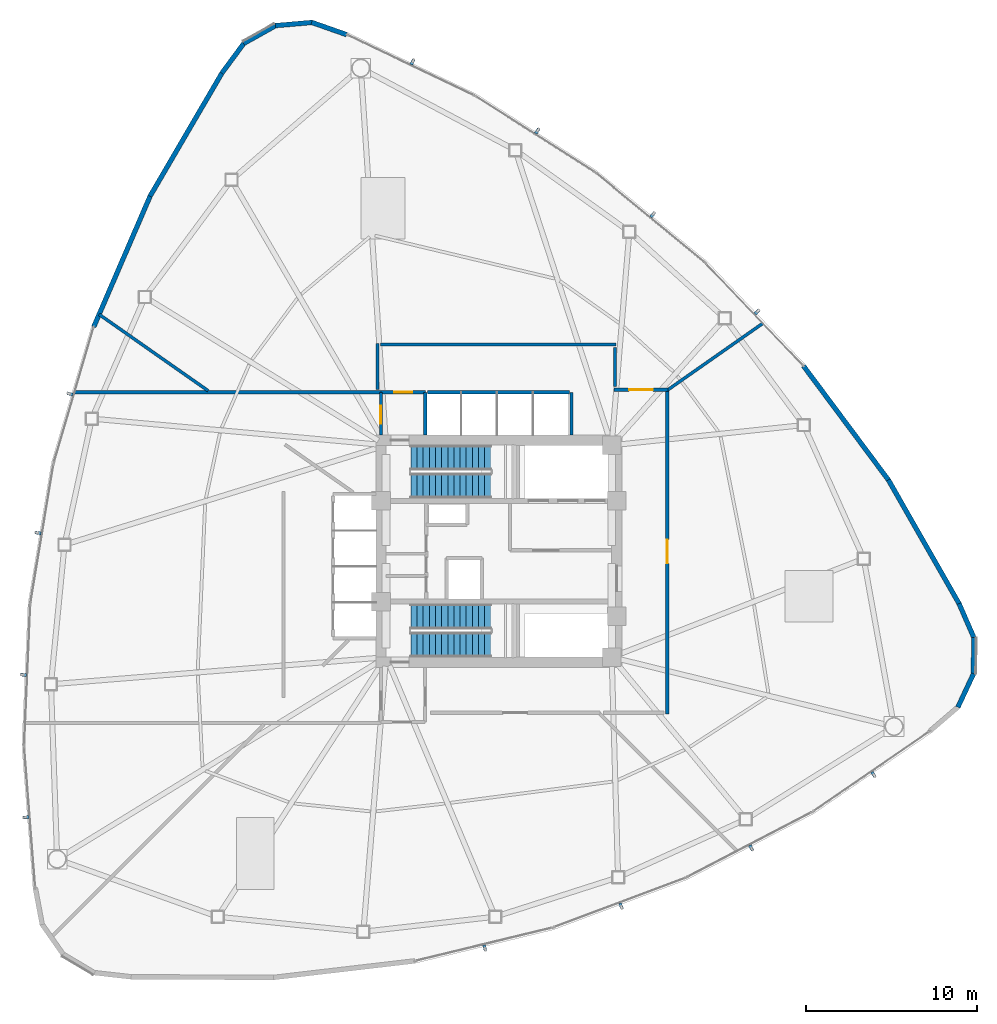
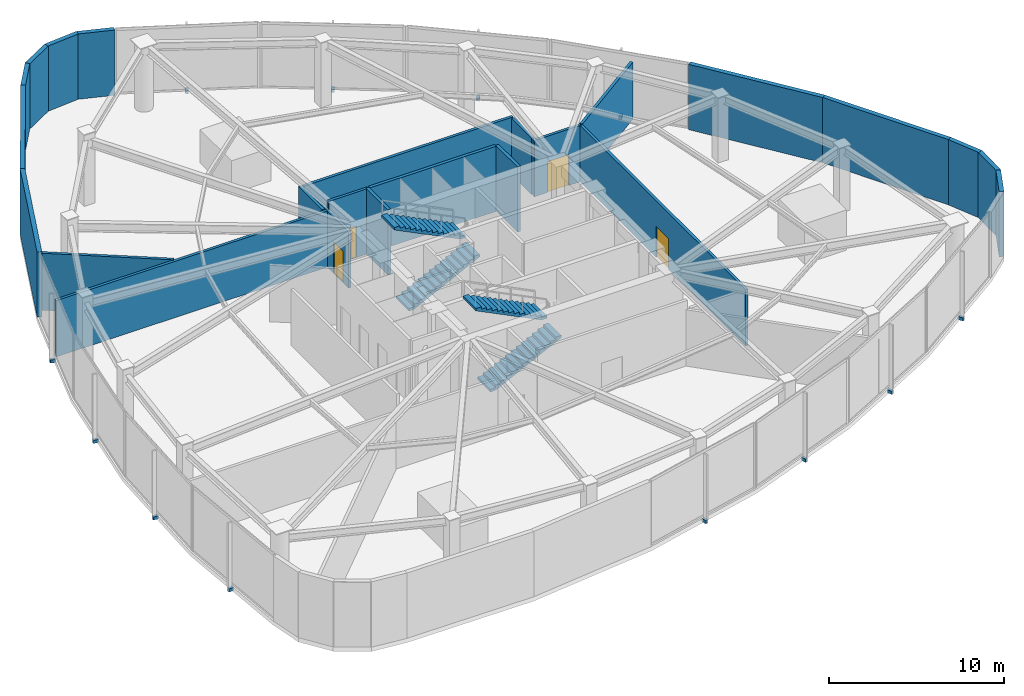
# One storey, part 12 of 16: 24 walls, 12 discrete accessories, 4 doors, 4 stair flights, 4 openings, 2 elements without a shape of their own.
"""IFC4 building model written with IfcOpenShell, lengths in metres."""

from ifc_helpers import new_model, si_unit, direction, frame, frame_2d, origin, origin_2d, place, context, subcontext, project, spatial, polyline, rectangle, outline, extrude, source, transform, mapped, material, layer, layer_set, type_object, type_shapes, element, fill, aggregate, save


model = new_model("IFC4")

# Units and contexts
model_context = context("Model", 3, precision=1e-05, world=origin(), true_north=direction((0.0, 1.0)))
body_context = subcontext(model_context, "Body", "Model", "MODEL_VIEW")
ifc_project = project(units=[si_unit("LENGTHUNIT", "METRE"), si_unit("AREAUNIT", "SQUARE_METRE"), si_unit("VOLUMEUNIT", "CUBIC_METRE"), si_unit("PLANEANGLEUNIT", "RADIAN"), si_unit("MASSUNIT", "GRAM", prefix="KILO")], contexts=[model_context])

# Site, building, storey
site_placement = place(None, origin())
site = spatial("IfcSite", under=ifc_project, at=site_placement, CompositionType="ELEMENT")
building_placement = place(site_placement, origin())
building = spatial("IfcBuilding", under=site, at=building_placement, Name="Tavelor Broadcast Tower", CompositionType="ELEMENT")
storey_placement = place(building_placement, frame((0.0, 0.0, 97.800048828125)))
storey = spatial("IfcBuildingStorey", under=building, at=storey_placement, Name="L23", CompositionType="ELEMENT", Elevation=97.800048828125)

# Wall, opening, door
ifc_material_1 = material(Name="Calcium Silicate Fire Board 180 mm", Category="gypsum")
ifc_layer_1 = layer(ifc_material_1, 0.179931640625)
ifc_layer_set_1 = layer_set([ifc_layer_1], Name="Calcium Silicate Fire Board 180 mm")
wall_type_1 = type_object("IfcWallType", Name="Fire-Rated Corridor Partition Wall 180 mm", PredefinedType="PARTITIONING", material=ifc_layer_set_1)
wall_1_placement = place(storey_placement, frame((43.10009765625, 54.300048828125, 0.0), z_axis=(0.0, 0.0, 1.0), x_axis=(1.0, 0.0, 0.0)))
wall_1 = element("IfcWall", 1, at=wall_1_placement, inside=storey, type_object=wall_type_1, Name="L23 Stair ST1 Lobby North Wall", PredefinedType="PARTITIONING", context=body_context, shape_type="SweptSolid", body=[
    extrude(rectangle(XDim=2.619873046875, YDim=0.179931640625, at=frame_2d((1.31005859375, 0.0))), origin(), (0.0, 0.0, 1.0), 4.550048828125),
])
opening_1_placement = place(wall_1_placement, frame((0.780029296875, 0.0, 0.0)))
opening_1 = element("IfcOpeningElement", 2, at=opening_1_placement, cuts=wall_1, Name="Opening DR11", PredefinedType="OPENING", context=body_context, shape_type="SweptSolid", body=[
    extrude(rectangle(XDim=1.050048828125, YDim=2.199951171875, at=frame_2d((0.52490234375, 1.10009765625))), frame((0.0, 0.10009765625, 0.0), z_axis=(0.0, -1.0, 0.0), x_axis=(1.0, 0.0, 0.0)), (0.0, 0.0, 1.0), 0.199951171875),
])
ifc_material_2 = material(Name="Steel S355", Category="steel")
door_type_1 = type_object("IfcDoorType", Name="Stair Core Fire Escape Door 1050x2200", OperationType="NOTDEFINED", PredefinedType="DOOR", material=ifc_material_2)
door_1_placement = place(opening_1_placement, origin())
door_1 = element("IfcDoor", 3, at=door_1_placement, inside=storey, type_object=door_type_1, Name="L23 Stair ST1 Lobby Corridor Door", OperationType="SINGLE_SWING_LEFT", OverallHeight=2.199951171875, OverallWidth=1.050048828125, PredefinedType="DOOR", context=body_context, shape_type="SweptSolid", body=[
    extrude(rectangle(XDim=1.050048828125, YDim=2.199951171875, at=frame_2d((0.52490234375, 1.10009765625))), frame((0.0, 0.02490234375, 0.0), z_axis=(0.0, -1.0, 0.0), x_axis=(1.0, 0.0, 0.0)), (0.0, 0.0, 1.0), 0.050048828125),
])
fill(opening_1, door_1)

wall_2_placement = place(storey_placement, frame((43.10009765625, 51.800048828125, 0.0), z_axis=(0.0, 0.0, 1.0), x_axis=(0.0, 1.0, 0.0)))
wall_2 = element("IfcWall", 4, at=wall_2_placement, inside=storey, type_object=wall_type_1, Name="L23 Fire Refuge North Stair ST1 Lobby Wall", PredefinedType="PARTITIONING", context=body_context, shape_type="SweptSolid", body=[
    extrude(rectangle(XDim=2.5, YDim=0.179931640625, at=frame_2d((1.25, 0.0))), origin(), (0.0, 0.0, 1.0), 3.925048828125),
])
opening_2_placement = place(wall_2_placement, frame((0.64990234375, 0.0, 0.0)))
opening_2 = element("IfcOpeningElement", 5, at=opening_2_placement, cuts=wall_2, Name="Opening DR11", PredefinedType="OPENING", context=body_context, shape_type="SweptSolid", body=[
    extrude(rectangle(XDim=1.050048828125, YDim=2.199951171875, at=frame_2d((0.52490234375, 1.10009765625))), frame((0.0, 0.10009765625, 0.0), z_axis=(0.0, -1.0, 0.0), x_axis=(1.0, 0.0, 0.0)), (0.0, 0.0, 1.0), 0.199951171875),
])
door_2_placement = place(opening_2_placement, origin())
door_2 = element("IfcDoor", 6, at=door_2_placement, inside=storey, type_object=door_type_1, Name="L23 Fire Refuge Stair ST1 Lobby Door", OperationType="SINGLE_SWING_RIGHT", OverallHeight=2.199951171875, OverallWidth=1.050048828125, PredefinedType="DOOR", context=body_context, shape_type="SweptSolid", body=[
    extrude(rectangle(XDim=1.050048828125, YDim=2.199951171875, at=frame_2d((0.52490234375, 1.10009765625))), frame((0.0, 0.02490234375, 0.0), z_axis=(0.0, -1.0, 0.0), x_axis=(1.0, 0.0, 0.0)), (0.0, 0.0, 1.0), 0.050048828125),
])
fill(opening_2, door_2)

# Walls
wall_3_placement = place(storey_placement, frame((25.1728515625, 54.300048828125, 0.0), z_axis=(0.0, 0.0, 1.0), x_axis=(1.0, 0.0, 0.0)))
element("IfcWall", 7, at=wall_3_placement, inside=storey, type_object=wall_type_1, Name="L23 Fire Refuge North EI120 Wall", PredefinedType="PARTITIONING", context=body_context, shape_type="SweptSolid", body=[
    extrude(rectangle(XDim=17.92724609375, YDim=0.179931640625, at=frame_2d((8.963623046875, 0.0))), origin(), (0.0, 0.0, 1.0), 3.925048828125),
])
wall_4_placement = place(storey_placement, frame((59.85009765625, 54.417724609375, 0.0), z_axis=(0.0, 0.0, 1.0), x_axis=(0.819142926279, 0.573589457998, 0.0)))
element("IfcWall", 8, at=wall_4_placement, inside=storey, type_object=wall_type_1, Name="L23 Plant Quadrant Fire Wall", PredefinedType="PARTITIONING", context=body_context, shape_type="SweptSolid", body=[
    extrude(rectangle(XDim=6.83154296875, YDim=0.179931640625, at=frame_2d((3.415771484375, 0.0))), origin(), (0.0, 0.0, 1.0), 3.974853515625),
])
wall_5_placement = place(storey_placement, frame((32.98974609375, 54.389892578125, 0.0), z_axis=(0.0, 0.0, 1.0), x_axis=(-0.819142061869, 0.57359069246, 0.0)))
element("IfcWall", 9, at=wall_5_placement, inside=storey, type_object=wall_type_1, Name="L23 Plant Quadrant Fire Wall", PredefinedType="PARTITIONING", context=body_context, shape_type="SweptSolid", body=[
    extrude(rectangle(XDim=7.787109375, YDim=0.179931640625, at=frame_2d((3.8935546875, 0.0))), origin(), (0.0, 0.0, 1.0), 3.974853515625),
])

# Wall, opening, door
wall_6_placement = place(storey_placement, frame((56.739990234375, 54.449951171875, 0.0), z_axis=(0.0, 0.0, 1.0), x_axis=(1.0, 0.0, 0.0)))
wall_6 = element("IfcWall", 10, at=wall_6_placement, inside=storey, type_object=wall_type_1, Name="L23 Plant Corridor Fire Wall", PredefinedType="PARTITIONING", context=body_context, shape_type="SweptSolid", body=[
    extrude(rectangle(XDim=3.1474609375, YDim=0.179931640625, at=frame_2d((1.57373046875, 0.0))), origin(), (0.0, 0.0, 1.0), 3.925048828125),
])
opening_3_placement = place(wall_6_placement, frame((0.873779296875, 0.0, 0.0)))
opening_3 = element("IfcOpeningElement", 11, at=opening_3_placement, cuts=wall_6, Name="Opening DR41", PredefinedType="OPENING", context=body_context, shape_type="SweptSolid", body=[
    extrude(rectangle(XDim=1.39990234375, YDim=2.14990234375, at=frame_2d((0.699951171875, 1.074951171875))), frame((0.0, 0.10009765625, 0.0), z_axis=(0.0, -1.0, 0.0), x_axis=(1.0, 0.0, 0.0)), (0.0, 0.0, 1.0), 0.199951171875),
])
door_type_2 = type_object("IfcDoorType", Name="Plant Room Double Fire Door 1400x2150", OperationType="NOTDEFINED", PredefinedType="DOOR", material=ifc_material_2)
door_3_placement = place(opening_3_placement, origin())
door_3 = element("IfcDoor", 12, at=door_3_placement, inside=storey, type_object=door_type_2, Name="L23 Zone Chiller and Heat Exchanger Plant Direct Corridor Door", OperationType="SINGLE_SWING_LEFT", OverallHeight=2.14990234375, OverallWidth=1.39990234375, PredefinedType="DOOR", context=body_context, shape_type="SweptSolid", body=[
    extrude(rectangle(XDim=1.39990234375, YDim=2.14990234375, at=frame_2d((0.699951171875, 1.074951171875))), frame((0.0, 0.02490234375, 0.0), z_axis=(0.0, -1.0, 0.0), x_axis=(1.0, 0.0, 0.0)), (0.0, 0.0, 1.0), 0.050048828125),
])
fill(opening_3, door_3)

wall_7_placement = place(storey_placement, frame((59.85009765625, 54.477783203125, 0.0), z_axis=(0.0, 0.0, 1.0), x_axis=(0.0, -1.0, 0.0)))
wall_7 = element("IfcWall", 13, at=wall_7_placement, inside=storey, type_object=wall_type_1, Name="L23 Plant Corridor Fire Wall", PredefinedType="PARTITIONING", context=body_context, shape_type="SweptSolid", body=[
    extrude(rectangle(XDim=18.98779296875, YDim=0.179931640625, at=frame_2d((9.493896484375, 0.0))), origin(), (0.0, 0.0, 1.0), 3.925048828125),
])
opening_4_placement = place(wall_7_placement, frame((8.7939453125, 0.0, 0.0)))
opening_4 = element("IfcOpeningElement", 14, at=opening_4_placement, cuts=wall_7, Name="Opening DR41", PredefinedType="OPENING", context=body_context, shape_type="SweptSolid", body=[
    extrude(rectangle(XDim=1.39990234375, YDim=2.14990234375, at=frame_2d((0.699951171875, 1.074951171875))), frame((0.0, 0.10009765625, 0.0), z_axis=(0.0, -1.0, 0.0), x_axis=(1.0, 0.0, 0.0)), (0.0, 0.0, 1.0), 0.199951171875),
])
door_4_placement = place(opening_4_placement, origin())
door_4 = element("IfcDoor", 15, at=door_4_placement, inside=storey, type_object=door_type_2, Name="L23 Fire Booster and Hydronic Pump Plant Direct Corridor Door", OperationType="SINGLE_SWING_RIGHT", OverallHeight=2.14990234375, OverallWidth=1.39990234375, PredefinedType="DOOR", context=body_context, shape_type="SweptSolid", body=[
    extrude(rectangle(XDim=1.39990234375, YDim=2.14990234375, at=frame_2d((0.699951171875, 1.074951171875))), frame((0.0, 0.02490234375, 0.0), z_axis=(0.0, -1.0, 0.0), x_axis=(1.0, 0.0, 0.0)), (0.0, 0.0, 1.0), 0.050048828125),
])
fill(opening_4, door_4)

# Walls
wall_8_placement = place(storey_placement, frame((42.89990234375, 54.469970703125, 0.0), z_axis=(0.0, 0.0, 1.0), x_axis=(0.0, 1.0, 0.0)))
element("IfcWall", 16, at=wall_8_placement, inside=storey, type_object=wall_type_1, Name="L23 Plant Corridor Fire Wall", PredefinedType="PARTITIONING", context=body_context, shape_type="SweptSolid", body=[
    extrude(rectangle(XDim=2.68994140625, YDim=0.179931640625, at=frame_2d((1.344970703125, 0.0))), origin(), (0.0, 0.0, 1.0), 3.925048828125),
])
wall_9_placement = place(storey_placement, frame((43.080078125, 57.10009765625, 0.0), z_axis=(0.0, 0.0, 1.0), x_axis=(1.0, 0.0, 0.0)))
element("IfcWall", 17, at=wall_9_placement, inside=storey, type_object=wall_type_1, Name="L23 Plant Corridor Fire Wall", PredefinedType="PARTITIONING", context=body_context, shape_type="SweptSolid", body=[
    extrude(rectangle(XDim=13.780029296875, YDim=0.179931640625, at=frame_2d((6.89013671875, 0.0))), origin(), (0.0, 0.0, 1.0), 3.925048828125),
])
wall_10_placement = place(storey_placement, frame((56.800048828125, 56.919921875, 0.0), z_axis=(0.0, 0.0, 1.0), x_axis=(0.0, -1.0, 0.0)))
element("IfcWall", 18, at=wall_10_placement, inside=storey, type_object=wall_type_1, Name="L23 Plant Corridor Fire Wall", PredefinedType="PARTITIONING", context=body_context, shape_type="SweptSolid", body=[
    extrude(rectangle(XDim=2.2900390625, YDim=0.179931640625, at=frame_2d((1.14501953125, 0.0))), origin(), (0.0, 0.0, 1.0), 3.925048828125),
])
ifc_material_3 = material(Name="Precast Concrete C40/50", Category="concrete")
ifc_layer_2 = layer(ifc_material_3, 0.280029296875)
ifc_layer_set_2 = layer_set([ifc_layer_2], Name="Precast Concrete C40/50")
wall_type_2 = type_object("IfcWallType", Name="Insulated Precast Terracotta Facade Wall 280 mm", PredefinedType="STANDARD", material=ifc_layer_set_2)
wall_11_placement = place(storey_placement, frame((41.10107421875, 75.2216796875, 0.0), z_axis=(0.0, 0.0, 1.0), x_axis=(-0.943509480912, 0.33134552876, 0.0)))
element("IfcWall", 19, at=wall_11_placement, inside=storey, type_object=wall_type_2, Name="L23 Rounded Corner Structural Cladding Pier 01", PredefinedType="STANDARD", context=body_context, shape_type="SweptSolid", body=[
    extrude(rectangle(XDim=2.17431640625, YDim=0.280029296875, at=frame_2d((1.087158203125, 0.0))), origin(), (0.0, 0.0, 1.0), 4.550048828125),
])
wall_12_placement = place(storey_placement, frame((39.07861328125, 75.9384765625, 0.0), z_axis=(0.0, 0.0, 1.0), x_axis=(-0.996272717401, -0.086259333193, 0.0)))
element("IfcWall", 20, at=wall_12_placement, inside=storey, type_object=wall_type_2, Name="L23 Rounded Corner Structural Cladding Pier 02", PredefinedType="STANDARD", context=body_context, shape_type="SweptSolid", body=[
    extrude(rectangle(XDim=2.162353515625, YDim=0.280029296875, at=frame_2d((1.0810546875, 0.0))), origin(), (0.0, 0.0, 1.0), 4.550048828125),
])
wall_13_placement = place(storey_placement, frame((36.9521484375, 75.760498046875, 0.0), z_axis=(0.0, 0.0, 1.0), x_axis=(-0.872517565839, -0.488582743557, 0.0)))
element("IfcWall", 21, at=wall_13_placement, inside=storey, type_object=wall_type_2, Name="L23 Rounded Corner Structural Cladding Pier 03", PredefinedType="STANDARD", context=body_context, shape_type="SweptSolid", body=[
    extrude(rectangle(XDim=2.16259765625, YDim=0.280029296875, at=frame_2d((1.081298828125, 0.0))), origin(), (0.0, 0.0, 1.0), 4.550048828125),
])
wall_14_placement = place(storey_placement, frame((35.087158203125, 74.72314453125, 0.0), z_axis=(0.0, 0.0, 1.0), x_axis=(-0.594048589396, -0.804429159987, 0.0)))
element("IfcWall", 22, at=wall_14_placement, inside=storey, type_object=wall_type_2, Name="L23 Rounded Corner Structural Cladding Pier 04", PredefinedType="STANDARD", context=body_context, shape_type="SweptSolid", body=[
    extrude(rectangle(XDim=2.18505859375, YDim=0.280029296875, at=frame_2d((1.092529296875, 0.0))), origin(), (0.0, 0.0, 1.0), 4.550048828125),
])
wall_15_placement = place(storey_placement, frame((33.805419921875, 72.990478515625, 0.0), z_axis=(0.0, 0.0, 1.0), x_axis=(-0.504174194544, -0.863601980982, 0.0)))
element("IfcWall", 23, at=wall_15_placement, inside=storey, type_object=wall_type_2, Name="L23 Rounded Corner Structural Cladding Pier 05", PredefinedType="STANDARD", context=body_context, shape_type="SweptSolid", body=[
    extrude(rectangle(XDim=8.36083984375, YDim=0.280029296875, at=frame_2d((4.180419921875, 0.0))), origin(), (0.0, 0.0, 1.0), 4.550048828125),
])
wall_16_placement = place(storey_placement, frame((29.603515625, 65.796630859375, 0.0), z_axis=(0.0, 0.0, 1.0), x_axis=(-0.395958170162, -0.918268548673, 0.0)))
element("IfcWall", 24, at=wall_16_placement, inside=storey, type_object=wall_type_2, Name="L23 Rounded Corner Structural Cladding Pier 06", PredefinedType="STANDARD", context=body_context, shape_type="SweptSolid", body=[
    extrude(rectangle(XDim=8.34912109375, YDim=0.280029296875, at=frame_2d((4.174560546875, 0.0))), origin(), (0.0, 0.0, 1.0), 4.550048828125),
])
wall_17_placement = place(storey_placement, frame((76.854248046875, 35.87109375, 0.0), z_axis=(0.0, 0.0, 1.0), x_axis=(0.423441583962, 0.905923410103, 0.0)))
element("IfcWall", 25, at=wall_17_placement, inside=storey, type_object=wall_type_2, Name="L23 Rounded Corner Structural Cladding Pier 22", PredefinedType="STANDARD", context=body_context, shape_type="SweptSolid", body=[
    extrude(rectangle(XDim=2.16259765625, YDim=0.280029296875, at=frame_2d((1.081298828125, 0.0))), origin(), (0.0, 0.0, 1.0), 4.550048828125),
])
wall_18_placement = place(storey_placement, frame((77.76318359375, 37.8017578125, 0.0), z_axis=(0.0, 0.0, 1.0), x_axis=(0.013094384142, 0.999914264877, 0.0)))
element("IfcWall", 26, at=wall_18_placement, inside=storey, type_object=wall_type_2, Name="L23 Rounded Corner Structural Cladding Pier 23", PredefinedType="STANDARD", context=body_context, shape_type="SweptSolid", body=[
    extrude(rectangle(XDim=2.162841796875, YDim=0.280029296875, at=frame_2d((1.08154296875, 0.0))), origin(), (0.0, 0.0, 1.0), 4.550048828125),
])
wall_19_placement = place(storey_placement, frame((77.79736328125, 39.935546875, 0.0), z_axis=(0.0, 0.0, 1.0), x_axis=(-0.399534865094, 0.916718000027, 0.0)))
element("IfcWall", 27, at=wall_19_placement, inside=storey, type_object=wall_type_2, Name="L23 Rounded Corner Structural Cladding Pier 24", PredefinedType="STANDARD", context=body_context, shape_type="SweptSolid", body=[
    extrude(rectangle(XDim=2.18505859375, YDim=0.280029296875, at=frame_2d((1.092529296875, 0.0))), origin(), (0.0, 0.0, 1.0), 4.550048828125),
])
wall_20_placement = place(storey_placement, frame((76.937744140625, 41.912109375, 0.0), z_axis=(0.0, 0.0, 1.0), x_axis=(-0.495824438924, 0.868422780543, 0.0)))
element("IfcWall", 28, at=wall_20_placement, inside=storey, type_object=wall_type_2, Name="L23 Rounded Corner Structural Cladding Pier 25", PredefinedType="STANDARD", context=body_context, shape_type="SweptSolid", body=[
    extrude(rectangle(XDim=8.36083984375, YDim=0.280029296875, at=frame_2d((4.180419921875, 0.0))), origin(), (0.0, 0.0, 1.0), 4.550048828125),
])
wall_21_placement = place(storey_placement, frame((72.80859375, 49.14794921875, 0.0), z_axis=(0.0, 0.0, 1.0), x_axis=(-0.5972781529, 0.802034168891, 0.0)))
element("IfcWall", 29, at=wall_21_placement, inside=storey, type_object=wall_type_2, Name="L23 Rounded Corner Structural Cladding Pier 26", PredefinedType="STANDARD", context=body_context, shape_type="SweptSolid", body=[
    extrude(rectangle(XDim=8.348876953125, YDim=0.280029296875, at=frame_2d((4.17431640625, 0.0))), origin(), (0.0, 0.0, 1.0), 4.550048828125),
])
ifc_material_4 = material(Name="Concrete Blockwork 200 mm", Category="masonry")
ifc_layer_3 = layer(ifc_material_4, 0.199951171875)
ifc_layer_set_3 = layer_set([ifc_layer_3], Name="Concrete Blockwork 200 mm")
wall_type_3 = type_object("IfcWallType", Name="Lift Hoistway Rated Front Wall 200 mm", PredefinedType="PARTITIONING", material=ifc_layer_set_3)
wall_22_placement = place(storey_placement, frame((45.820068359375, 54.300048828125, 0.0), z_axis=(0.0, 0.0, 1.0), x_axis=(1.0, 0.0, 0.0)))
element("IfcWall", 30, at=wall_22_placement, inside=storey, type_object=wall_type_3, Name="L23 High-Rise Lift Hoistway Front Wall", PredefinedType="PARTITIONING", context=body_context, shape_type="SweptSolid", body=[
    extrude(rectangle(XDim=8.309814453125, YDim=0.199951171875, at=frame_2d((4.15478515625, 0.0))), origin(), (0.0, 0.0, 1.0), 4.550048828125),
])
ifc_layer_4 = layer(ifc_material_4, 0.199951171875)
ifc_layer_set_4 = layer_set([ifc_layer_4], Name="Concrete Blockwork 200 mm")
wall_type_4 = type_object("IfcWallType", Name="Lift and Riser Shaft Enclosure Wall 200 mm", PredefinedType="PARTITIONING", material=ifc_layer_set_4)
for number, where, z_axis, x_axis, name in (
    (31, (45.699951171875, 51.800048828125, 0.0), (0.0, 0.0, 1.0), (0.0, 1.0, 0.0), "L23 High-Rise Lift Shaft West Wall"),
    (32, (54.25, 51.800048828125, 0.0), (0.0, 0.0, 1.0), (0.0, 1.0, 0.0), "L23 High-Rise Lift Shaft East Wall"),
):
    element("IfcWall", number, at=place(storey_placement, frame(where, z_axis=z_axis, x_axis=x_axis)), inside=storey, type_object=wall_type_4, Name=name, PredefinedType="PARTITIONING", context=body_context, shape_type="SweptSolid", body=[
        extrude(rectangle(XDim=2.5, YDim=0.199951171875, at=frame_2d((1.25, 0.0))), origin(), (0.0, 0.0, 1.0), 4.550048828125),
    ])

# Stair, stair flights
ifc_material_5 = material(Name="Concrete C40/50", Category="concrete")
stair_type = type_object("IfcStairType", Name="Reinforced Concrete Protected Dogleg Stair 1450 mm", PredefinedType="HALF_TURN_STAIR", material=ifc_material_5)
stair_1_placement = place(storey_placement, origin())
stair_1 = element("IfcStair", 33, at=stair_1_placement, inside=storey, type_object=stair_type, Name="L23 Protected Core Exit Stair ST1", PredefinedType="HALF_TURN_STAIR")
stair_flight_type = type_object("IfcStairFlightType", Name="Reinforced Concrete Stair Flight 1450 mm", PredefinedType="STRAIGHT", material=ifc_material_5)
stair_flight_1_placement = place(storey_placement, frame((44.85009765625, 48.824951171875, 0.0), z_axis=(0.0, 0.0, 1.0), x_axis=(1.0, 0.0, 0.0)))
stair_flight_1 = element("IfcStairFlight", 34, at=stair_flight_1_placement, type_object=stair_flight_type, Name="ST1 flight 1", NumberOfRisers=14, NumberOfTreads=13, PredefinedType="STRAIGHT", RiserHeight=0.178571429, TreadLength=0.36, context=body_context, shape_type="SweptSolid", body=[
    extrude(outline(polyline([(0.0, 0.0), (0.0, 0.178466796875), (0.360107421875, 0.178466796875), (0.360107421875, 0.357177734375), (0.719970703125, 0.357177734375), (0.719970703125, 0.53564453125), (1.080078125, 0.53564453125), (1.080078125, 0.71435546875), (1.43994140625, 0.71435546875), (1.43994140625, 0.892822265625), (1.800048828125, 0.892822265625), (1.800048828125, 1.071533203125), (2.159912109375, 1.071533203125), (2.159912109375, 1.25), (2.52001953125, 1.25), (2.52001953125, 1.428466796875), (2.8798828125, 1.428466796875), (2.8798828125, 1.607177734375), (3.239990234375, 1.607177734375), (3.239990234375, 1.78564453125), (3.60009765625, 1.78564453125), (3.60009765625, 1.96435546875), (3.9599609375, 1.96435546875), (3.9599609375, 2.142822265625), (4.320068359375, 2.142822265625), (4.320068359375, 2.321533203125), (4.679931640625, 2.321533203125), (4.679931640625, 2.5), (4.679931640625, 2.154052734375), (0.33740234375, 0.0), (0.0, 0.0)])), frame((0.0, 0.72509765625, 0.0), z_axis=(0.0, -1.0, 0.0), x_axis=(1.0, 0.0, 0.0)), (0.0, 0.0, 1.0), 1.449951171875),
])
stair_flight_2_placement = place(storey_placement, frame((49.530029296875, 50.47509765625, 2.5), z_axis=(0.0, 0.0, 1.0), x_axis=(-1.0, 0.0, 0.0)))
stair_flight_2 = element("IfcStairFlight", 35, at=stair_flight_2_placement, type_object=stair_flight_type, Name="ST1 flight 2", NumberOfRisers=14, NumberOfTreads=13, PredefinedType="STRAIGHT", RiserHeight=0.178571429, TreadLength=0.36, context=body_context, shape_type="SweptSolid", body=[
    extrude(outline(polyline([(0.0, 0.0), (0.0, 0.178466796875), (0.360107421875, 0.178466796875), (0.360107421875, 0.357177734375), (0.719970703125, 0.357177734375), (0.719970703125, 0.53564453125), (1.080078125, 0.53564453125), (1.080078125, 0.71435546875), (1.43994140625, 0.71435546875), (1.43994140625, 0.892822265625), (1.800048828125, 0.892822265625), (1.800048828125, 1.071533203125), (2.159912109375, 1.071533203125), (2.159912109375, 1.25), (2.52001953125, 1.25), (2.52001953125, 1.428466796875), (2.8798828125, 1.428466796875), (2.8798828125, 1.607177734375), (3.239990234375, 1.607177734375), (3.239990234375, 1.78564453125), (3.60009765625, 1.78564453125), (3.60009765625, 1.96435546875), (3.9599609375, 1.96435546875), (3.9599609375, 2.142822265625), (4.320068359375, 2.142822265625), (4.320068359375, 2.321533203125), (4.679931640625, 2.321533203125), (4.679931640625, 2.5), (4.679931640625, 2.154052734375), (0.33740234375, 0.0), (0.0, 0.0)])), frame((0.0, 0.72509765625, 0.0), z_axis=(0.0, -1.0, 0.0), x_axis=(1.0, 0.0, 0.0)), (0.0, 0.0, 1.0), 1.449951171875),
])
aggregate(stair_1, [stair_flight_1, stair_flight_2])

stair_2_placement = place(storey_placement, origin())
stair_2 = element("IfcStair", 36, at=stair_2_placement, inside=storey, type_object=stair_type, Name="L23 Protected Core Exit Stair ST2", PredefinedType="HALF_TURN_STAIR")
stair_flight_3_placement = place(storey_placement, frame((44.85009765625, 39.52490234375, 0.0), z_axis=(0.0, 0.0, 1.0), x_axis=(1.0, 0.0, 0.0)))
stair_flight_3 = element("IfcStairFlight", 37, at=stair_flight_3_placement, type_object=stair_flight_type, Name="ST2 flight 1", NumberOfRisers=14, NumberOfTreads=13, PredefinedType="STRAIGHT", RiserHeight=0.178571429, TreadLength=0.36, context=body_context, shape_type="SweptSolid", body=[
    extrude(outline(polyline([(0.0, 0.0), (0.0, 0.178466796875), (0.360107421875, 0.178466796875), (0.360107421875, 0.357177734375), (0.719970703125, 0.357177734375), (0.719970703125, 0.53564453125), (1.080078125, 0.53564453125), (1.080078125, 0.71435546875), (1.43994140625, 0.71435546875), (1.43994140625, 0.892822265625), (1.800048828125, 0.892822265625), (1.800048828125, 1.071533203125), (2.159912109375, 1.071533203125), (2.159912109375, 1.25), (2.52001953125, 1.25), (2.52001953125, 1.428466796875), (2.8798828125, 1.428466796875), (2.8798828125, 1.607177734375), (3.239990234375, 1.607177734375), (3.239990234375, 1.78564453125), (3.60009765625, 1.78564453125), (3.60009765625, 1.96435546875), (3.9599609375, 1.96435546875), (3.9599609375, 2.142822265625), (4.320068359375, 2.142822265625), (4.320068359375, 2.321533203125), (4.679931640625, 2.321533203125), (4.679931640625, 2.5), (4.679931640625, 2.154052734375), (0.33740234375, 0.0), (0.0, 0.0)])), frame((0.0, 0.72509765625, 0.0), z_axis=(0.0, -1.0, 0.0), x_axis=(1.0, 0.0, 0.0)), (0.0, 0.0, 1.0), 1.449951171875),
])
stair_flight_4_placement = place(storey_placement, frame((49.530029296875, 41.175048828125, 2.5), z_axis=(0.0, 0.0, 1.0), x_axis=(-1.0, 0.0, 0.0)))
stair_flight_4 = element("IfcStairFlight", 38, at=stair_flight_4_placement, type_object=stair_flight_type, Name="ST2 flight 2", NumberOfRisers=14, NumberOfTreads=13, PredefinedType="STRAIGHT", RiserHeight=0.178571429, TreadLength=0.36, context=body_context, shape_type="SweptSolid", body=[
    extrude(outline(polyline([(0.0, 0.0), (0.0, 0.178466796875), (0.360107421875, 0.178466796875), (0.360107421875, 0.357177734375), (0.719970703125, 0.357177734375), (0.719970703125, 0.53564453125), (1.080078125, 0.53564453125), (1.080078125, 0.71435546875), (1.43994140625, 0.71435546875), (1.43994140625, 0.892822265625), (1.800048828125, 0.892822265625), (1.800048828125, 1.071533203125), (2.159912109375, 1.071533203125), (2.159912109375, 1.25), (2.52001953125, 1.25), (2.52001953125, 1.428466796875), (2.8798828125, 1.428466796875), (2.8798828125, 1.607177734375), (3.239990234375, 1.607177734375), (3.239990234375, 1.78564453125), (3.60009765625, 1.78564453125), (3.60009765625, 1.96435546875), (3.9599609375, 1.96435546875), (3.9599609375, 2.142822265625), (4.320068359375, 2.142822265625), (4.320068359375, 2.321533203125), (4.679931640625, 2.321533203125), (4.679931640625, 2.5), (4.679931640625, 2.154052734375), (0.33740234375, 0.0), (0.0, 0.0)])), frame((0.0, 0.72509765625, 0.0), z_axis=(0.0, -1.0, 0.0), x_axis=(1.0, 0.0, 0.0)), (0.0, 0.0, 1.0), 1.449951171875),
])
aggregate(stair_2, [stair_flight_3, stair_flight_4])

# Discrete accessories
discrete_accessory_type = type_object("IfcDiscreteAccessoryType", Name="Stainless Baguette Outrigger Support Bracket 260x180", PredefinedType="BRACKET", material=ifc_material_2)
shared_shape = source(origin(), body_context, "Body", "SweptSolid", [
    extrude(rectangle(XDim=0.179931640625, YDim=0.340087890625, at=origin_2d()), origin(), (0.0, 0.0, 1.0), 0.216064453125),
])
type_shapes(discrete_accessory_type, [shared_shape])
for number, where, z_axis, x_axis, name in (
    (39, (24.9140625, 54.19970703125, -0.25830078125), (0.0, 0.0, 1.0), (-0.2820065759, -0.959412471854, 0.0), "L23 Baguette Outrigger Bracket 229"),
    (40, (23.0517578125, 46.06884765625, -0.25830078125), (0.0, 0.0, 1.0), (-0.163670330935, -0.986515089987, 0.0), "L23 Baguette Outrigger Bracket 230"),
    (41, (22.187255859375, 37.7724609375, -0.25830078125), (0.0, 0.0, 1.0), (-0.043096280984, -0.999070923691, 0.0), "L23 Baguette Outrigger Bracket 231"),
    (42, (22.3330078125, 29.432373046875, -0.25830078125), (0.0, 0.0, 1.0), (0.078111101158, -0.996944660388, 0.0), "L23 Baguette Outrigger Bracket 232"),
    (43, (49.17578125, 21.792724609375, -0.25830078125), (0.0, 0.0, 1.0), (0.971878861283, 0.235481377163, 0.0), "L23 Baguette Outrigger Bracket 233"),
    (44, (57.1484375, 24.24560546875, -0.25830078125), (0.0, 0.0, 1.0), (0.936182294613, 0.351514880558, 0.0), "L23 Baguette Outrigger Bracket 234"),
    (45, (64.765869140625, 27.64501953125, -0.25830078125), (0.0, 0.0, 1.0), (0.886768940591, 0.462212987705, 0.0), "L23 Baguette Outrigger Bracket 235"),
    (46, (71.91552734375, 31.941162109375, -0.25830078125), (0.0, 0.0, 1.0), (0.824323851484, 0.566118528114, 0.0), "L23 Baguette Outrigger Bracket 236"),
    (47, (65.110107421875, 59.007568359375, -0.25830078125), (0.0, 0.0, 1.0), (-0.689872285383, 0.723931094691, 0.0), "L23 Baguette Outrigger Bracket 237"),
    (48, (58.999755859375, 64.685791015625, -0.25830078125), (0.0, 0.0, 1.0), (-0.772511963678, 0.635000209429, 0.0), "L23 Baguette Outrigger Bracket 238"),
    (49, (52.2470703125, 69.582763671875, -0.25830078125), (0.0, 0.0, 1.0), (-0.843672659607, 0.536857935987, 0.0), "L23 Baguette Outrigger Bracket 239"),
    (50, (44.951416015625, 73.626708984375, -0.25830078125), (0.0, 0.0, 1.0), (-0.902434952642, 0.430826132274, 0.0), "L23 Baguette Outrigger Bracket 240"),
):
    element("IfcDiscreteAccessory", number, at=place(storey_placement, frame(where, z_axis=z_axis, x_axis=x_axis)), inside=storey, type_object=discrete_accessory_type, Name=name, PredefinedType="BRACKET", context=body_context, shape_type="MappedRepresentation", body=[
        mapped(shared_shape, transform((0.0, 0.0, 0.0), scale=1.0)),
    ])

save(model, "model.ifc")
